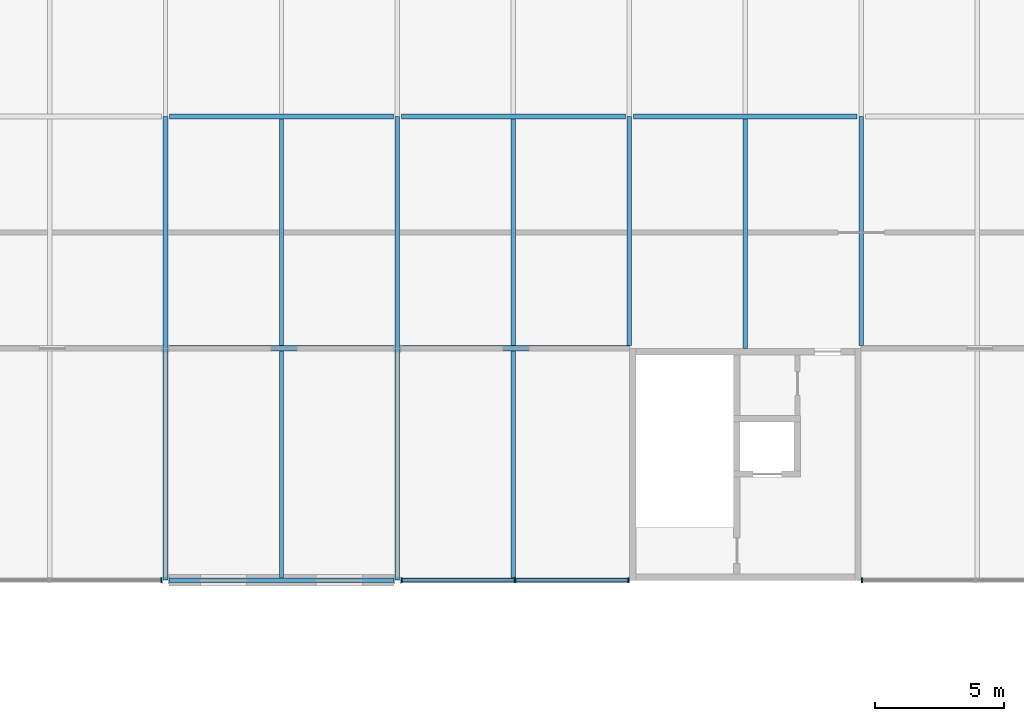
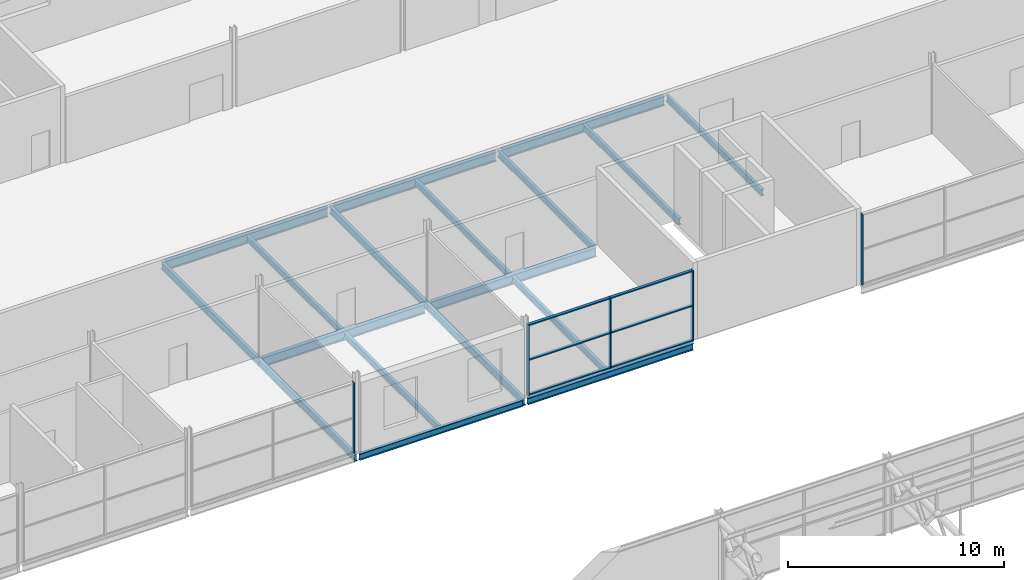
# One storey, part 42 of 138: 18 beams, 11 members, 3 elements without a shape of their own.
"""IFC4 building model written with IfcOpenShell, lengths in metres."""

import ifcopenshell
import ifcopenshell.guid

model = None  # the IFC model being written
_history = None  # IfcOwnerHistory: only IFC2X3 demands one
_inside = {}  # id of a spatial element -> (the spatial element, [elements in it])
_under = {}  # id of a project, library or spatial element -> (it, [spatial elements below it])
_declared = {}  # id of a project -> (the project, [libraries it declares])
_typed = {}  # id of a type object -> (the type object, [elements of that type])
_made_of = {}  # id of a material, layer set ... -> (it, [elements and type objects made of it])


def new_model(schema):
    """Start an empty IFC model of exactly this schema.

    Asked for "IFC4X3", IfcOpenShell would pick the latest addendum, in which some entities
    have other attributes; the version numbers below select the first issue.
    IFC2X3 requires an IfcOwnerHistory on every rooted entity: one is made here for all.
    """
    global model, _history
    if schema == "IFC4X3":
        model = ifcopenshell.file(schema_version=(4, 3, 0, 0))
    else:
        model = ifcopenshell.file(schema=schema)
    _inside.clear()
    _under.clear()
    _declared.clear()
    _typed.clear()
    _made_of.clear()
    _history = None
    if model.schema == "IFC2X3":
        org = make("IfcOrganization", Name="unknown")
        user = make(
            "IfcPersonAndOrganization",
            ThePerson=make("IfcPerson", FamilyName="unknown"),
            TheOrganization=org,
        )
        app = make(
            "IfcApplication",
            ApplicationDeveloper=org,
            Version="unknown",
            ApplicationFullName="unknown",
            ApplicationIdentifier="unknown",
        )
        _history = make(
            "IfcOwnerHistory",
            OwningUser=user,
            OwningApplication=app,
            ChangeAction="ADDED",
            CreationDate=0,
        )
    return model


def make(cls, **values):
    """One entity of the class cls with the attributes given. An attribute that is None is left unset."""
    return model.create_entity(
        cls, **{name: value for name, value in values.items() if value is not None}
    )


def rooted(cls, **values):
    """An entity with a GlobalId (a new one), such as an element, a storey or a relation."""
    return make(cls, GlobalId=ifcopenshell.guid.new(), OwnerHistory=_history, **values)


def si_unit(unit_type, name, prefix=None):
    """IfcSIUnit, for example si_unit("LENGTHUNIT", "METRE", prefix="MILLI")."""
    return make("IfcSIUnit", UnitType=unit_type, Prefix=prefix, Name=name)


def assignment(units):
    """IfcUnitAssignment: the units of a project."""
    return None if units is None else make("IfcUnitAssignment", Units=units)


def point(xyz):
    """IfcCartesianPoint."""
    return None if xyz is None else make("IfcCartesianPoint", Coordinates=xyz)


def direction(xyz):
    """IfcDirection."""
    return None if xyz is None else make("IfcDirection", DirectionRatios=xyz)


def frame(location, z_axis=None, x_axis=None):
    """IfcAxis2Placement3D, a coordinate frame: its origin and axes. An axis left out is left unset."""
    return make(
        "IfcAxis2Placement3D",
        Location=point(location),
        Axis=direction(z_axis),
        RefDirection=direction(x_axis),
    )


def frame_2d(location, x_axis=None):
    """IfcAxis2Placement2D, a coordinate frame in the plane: its origin and x axis."""
    return make(
        "IfcAxis2Placement2D", Location=point(location), RefDirection=direction(x_axis)
    )


def origin():
    """The frame at (0, 0, 0) with its axes left unset."""
    return frame((0.0, 0.0, 0.0))


def origin_2d():
    """The frame at (0, 0) in the plane with its x axis left unset."""
    return frame_2d((0.0, 0.0))


def place(relative_to, where):
    """IfcLocalPlacement: puts the frame where relative to a parent placement (None: the world)."""
    return make(
        "IfcLocalPlacement", PlacementRelTo=relative_to, RelativePlacement=where
    )


def context(
    kind, dimensions, precision=None, world=None, true_north=None, identifier=None
):
    """IfcGeometricRepresentationContext, for example the 3D "Model" context."""
    return make(
        "IfcGeometricRepresentationContext",
        ContextIdentifier=identifier,
        ContextType=kind,
        CoordinateSpaceDimension=dimensions,
        Precision=precision,
        WorldCoordinateSystem=world,
        TrueNorth=true_north,
    )


def subcontext(parent, identifier, kind, view, scale=None):
    """IfcGeometricRepresentationSubContext, for example "Body" below "Model"."""
    return make(
        "IfcGeometricRepresentationSubContext",
        ContextIdentifier=identifier,
        ContextType=kind,
        ParentContext=parent,
        TargetScale=scale,
        TargetView=view,
    )


def project(units=None, contexts=None):
    """IfcProject with its units and contexts."""
    return rooted(
        "IfcProject",
        Name="project",
        RepresentationContexts=contexts,
        UnitsInContext=assignment(units),
    )


def spatial(cls, under=None, at=None, **own):
    """A site, building, storey or space (cls), placed at a placement, below another one or the project."""
    s = rooted(cls, ObjectPlacement=at, **own)
    if under is not None:
        _under.setdefault(under.id(), (under, []))[1].append(s)
    return s


def profile(cls, at=None, kind="AREA", **sizes):
    """A parametric profile (cls). Its sizes go by their IFC names, for example OverallWidth=200.0."""
    return make(cls, ProfileType=kind, Position=at, **sizes)


def rectangle(**sizes):
    """IfcRectangleProfileDef."""
    return profile("IfcRectangleProfileDef", **sizes)


def i_section(**sizes):
    """IfcIShapeProfileDef."""
    return profile("IfcIShapeProfileDef", **sizes)


def extrude(swept, where, along, depth):
    """IfcExtrudedAreaSolid: the profile swept, set in the frame where, extruded along a direction by depth."""
    return make(
        "IfcExtrudedAreaSolid",
        SweptArea=swept,
        Position=where,
        ExtrudedDirection=direction(along),
        Depth=depth,
    )


def shape(context_of_items, identifier, shape_type, items):
    """IfcShapeRepresentation: the items that make up one representation, for example the "Body"."""
    return make(
        "IfcShapeRepresentation",
        ContextOfItems=context_of_items,
        RepresentationIdentifier=identifier,
        RepresentationType=shape_type,
        Items=items,
    )


def material(Name=None, Category=None):
    """IfcMaterial."""
    return make("IfcMaterial", Name=Name, Category=Category)


def layer(
    of_material, thickness, ventilated=None, Name=None, Category=None, Priority=None
):
    """IfcMaterialLayer: one layer of a wall or slab, of a material (None: an air gap)."""
    return make(
        "IfcMaterialLayer",
        Material=of_material,
        LayerThickness=thickness,
        IsVentilated=ventilated,
        Name=Name,
        Category=Category,
        Priority=Priority,
    )


def layer_set(layers, Name=None):
    """IfcMaterialLayerSet."""
    return make("IfcMaterialLayerSet", MaterialLayers=layers, LayerSetName=Name)


def material_profile(
    of_material, cross_section, Name=None, Category=None, Priority=None
):
    """IfcMaterialProfile: a cross section and its material."""
    return make(
        "IfcMaterialProfile",
        Name=Name,
        Material=of_material,
        Profile=cross_section,
        Priority=Priority,
        Category=Category,
    )


def profile_set(profiles, Name=None, composite=None):
    """IfcMaterialProfileSet."""
    return make(
        "IfcMaterialProfileSet",
        Name=Name,
        MaterialProfiles=profiles,
        CompositeProfile=composite,
    )


def made_of(thing, what):
    """Note that an element or type object is made of a material, layer set ...; save() writes the relation."""
    if what is not None:
        _made_of.setdefault(what.id(), (what, []))[1].append(thing)
    return thing


def type_object(cls, material=None, **own):
    """A type object (cls), such as IfcWallType, which elements share."""
    return made_of(rooted(cls, **own), material)


def element(
    cls,
    number,
    at=None,
    inside=None,
    cuts=None,
    type_object=None,
    material=None,
    context=None,
    identifier="Body",
    shape_type=None,
    held_by="IfcProductDefinitionShape",
    body=None,
    shapes=None,
    **own,
):
    """One element of the class cls, such as IfcWall. Its Tag is "e" and its number.

    at: its placement. inside: the storey or other place that contains it. cuts: it is an
    opening in that element (IfcRelVoidsElement). A single representation is given by context,
    identifier, shape_type and body (its items); several are given by shapes. held_by: the class
    of the entity that holds the representations. save() writes the other relations.
    """
    e = rooted(cls, Tag="e%d" % number, ObjectPlacement=at, **own)
    if body is not None:
        shapes = [shape(context, identifier, shape_type, body)]
    if shapes is not None:
        e.Representation = make(held_by, Representations=shapes)
    if inside is not None:
        _inside.setdefault(inside.id(), (inside, []))[1].append(e)
    if cuts is not None:
        rooted(
            "IfcRelVoidsElement", RelatingBuildingElement=cuts, RelatedOpeningElement=e
        )
    if type_object is not None:
        _typed.setdefault(type_object.id(), (type_object, []))[1].append(e)
    return made_of(e, material)


def aggregate(whole, parts):
    """IfcRelAggregates: a whole, such as a stair, and the parts it consists of."""
    return rooted("IfcRelAggregates", RelatingObject=whole, RelatedObjects=parts)


def save(model, path):
    """Write the relations noted so far, then the file.

    IfcRelAggregates (storeys below a building ...), IfcRelContainedInSpatialStructure (elements
    in a storey), IfcRelDefinesByType, IfcRelAssociatesMaterial and IfcRelDeclares: one each for
    every whole, place, type object, material and project.
    """
    for whole, parts in _under.values():
        aggregate(whole, parts)
    for where, things in _inside.values():
        rooted(
            "IfcRelContainedInSpatialStructure",
            RelatedElements=things,
            RelatingStructure=where,
        )
    for kind, things in _typed.values():
        rooted("IfcRelDefinesByType", RelatedObjects=things, RelatingType=kind)
    for what, things in _made_of.values():
        rooted("IfcRelAssociatesMaterial", RelatedObjects=things, RelatingMaterial=what)
    for by, libraries in _declared.values():
        rooted("IfcRelDeclares", RelatingContext=by, RelatedDefinitions=libraries)
    model.write(path)


model = new_model("IFC4")

# Units and contexts
model_context = context("Model", 3, precision=1e-05, world=origin(), true_north=direction((0.0, 1.0)))
body_context = subcontext(model_context, "Body", "Model", "MODEL_VIEW")
ifc_project = project(units=[si_unit("LENGTHUNIT", "METRE"), si_unit("AREAUNIT", "SQUARE_METRE"), si_unit("VOLUMEUNIT", "CUBIC_METRE"), si_unit("PLANEANGLEUNIT", "RADIAN"), si_unit("MASSUNIT", "GRAM", prefix="KILO")], contexts=[model_context])

# Site, building, storey
site_placement = place(None, origin())
site = spatial("IfcSite", under=ifc_project, at=site_placement, CompositionType="ELEMENT")
building_placement = place(site_placement, origin())
building = spatial("IfcBuilding", under=site, at=building_placement, Name="Corbel Yard City Hall", CompositionType="ELEMENT")
storey_placement = place(building_placement, frame((0.0, 0.0, 10.5)))
storey = spatial("IfcBuildingStorey", under=building, at=storey_placement, Name="L02", CompositionType="ELEMENT", Elevation=10.5)

# Beams
ifc_material_1 = material(Name="Steel Grade 300 (300 MPa yield)", Category="steel")
ifc_material_profile_1 = material_profile(ifc_material_1, i_section(OverallWidth=0.1708984375, OverallDepth=0.35595703125, WebThickness=0.00732421875, FlangeThickness=0.011474609375, at=origin_2d()), Name="360UB50.7")
ifc_profile_set_1 = profile_set([ifc_material_profile_1], Name="Steel Grade 300 (300 MPa yield)")
beam_type_1 = type_object("IfcBeamType", Name="Beam 360UB50.7", PredefinedType="BEAM", material=ifc_profile_set_1)
for number, where, z_axis, x_axis, name in (
    (1, (54.0, 54.1044921875, -0.327880859375), (0.0, 1.0, 0.0), (-1.0, 0.0, 0.0), "Beam 360UB50.7 SB14 L02floor"),
    (2, (63.0, 54.1044921875, -0.327880859375), (0.0, 1.0, 0.0), (-1.0, 0.0, 0.0), "Beam 360UB50.7 SB14 L02floor"),
):
    element("IfcBeam", number, at=place(storey_placement, frame(where, z_axis=z_axis, x_axis=x_axis)), inside=storey, type_object=beam_type_1, Name=name, PredefinedType="BEAM", context=body_context, shape_type="SweptSolid", body=[
        extrude(i_section(OverallWidth=0.1708984375, OverallDepth=0.35595703125, WebThickness=0.00732421875, FlangeThickness=0.011474609375, at=origin_2d()), origin(), (0.0, 0.0, 1.0), 8.8896484375),
    ])
ifc_material_profile_2 = material_profile(ifc_material_1, i_section(OverallWidth=0.177978515625, OverallDepth=0.403076171875, WebThickness=0.007568359375, FlangeThickness=0.010986328125, at=origin_2d()), Name="410UB53.7")
ifc_profile_set_2 = profile_set([ifc_material_profile_2], Name="Steel Grade 300 (300 MPa yield)")
beam_type_2 = type_object("IfcBeamType", Name="Beam 410UB53.7", PredefinedType="BEAM", material=ifc_profile_set_2)
beam_1_placement = place(storey_placement, frame((36.0, 45.00537109375, -0.3515625), z_axis=(0.0, 1.0, 0.0), x_axis=(-1.0, 0.0, 0.0)))
element("IfcBeam", 3, at=beam_1_placement, inside=storey, type_object=beam_type_2, Name="Beam 410UB53.7 SB6 L02floor", PredefinedType="BEAM", context=body_context, shape_type="SweptSolid", body=[
    extrude(i_section(OverallWidth=0.177978515625, OverallDepth=0.403076171875, WebThickness=0.007568359375, FlangeThickness=0.010986328125, at=origin_2d()), origin(), (0.0, 0.0, 1.0), 8.98876953125),
])
beam_2_placement = place(storey_placement, frame((36.0, 54.005859375, -0.3515625), z_axis=(0.0, 1.0, 0.0), x_axis=(-1.0, 0.0, 0.0)))
element("IfcBeam", 4, at=beam_2_placement, inside=storey, type_object=beam_type_2, Name="Beam 410UB53.7 SB6 L02floor", PredefinedType="BEAM", context=body_context, shape_type="SweptSolid", body=[
    extrude(i_section(OverallWidth=0.177978515625, OverallDepth=0.403076171875, WebThickness=0.007568359375, FlangeThickness=0.010986328125, at=origin_2d()), origin(), (0.0, 0.0, 1.0), 8.98828125),
])
beam_3_placement = place(storey_placement, frame((45.0, 45.00537109375, -0.3515625), z_axis=(0.0, 1.0, 0.0), x_axis=(-1.0, 0.0, 0.0)))
element("IfcBeam", 5, at=beam_3_placement, inside=storey, type_object=beam_type_2, Name="Beam 410UB53.7 SB6 L02floor", PredefinedType="BEAM", context=body_context, shape_type="SweptSolid", body=[
    extrude(i_section(OverallWidth=0.177978515625, OverallDepth=0.403076171875, WebThickness=0.007568359375, FlangeThickness=0.010986328125, at=origin_2d()), origin(), (0.0, 0.0, 1.0), 8.98876953125),
])
beam_4_placement = place(storey_placement, frame((45.0, 54.005859375, -0.3515625), z_axis=(0.0, 1.0, 0.0), x_axis=(-1.0, 0.0, 0.0)))
element("IfcBeam", 6, at=beam_4_placement, inside=storey, type_object=beam_type_2, Name="Beam 410UB53.7 SB6 L02floor", PredefinedType="BEAM", context=body_context, shape_type="SweptSolid", body=[
    extrude(i_section(OverallWidth=0.177978515625, OverallDepth=0.403076171875, WebThickness=0.007568359375, FlangeThickness=0.010986328125, at=origin_2d()), origin(), (0.0, 0.0, 1.0), 8.98828125),
])
ifc_material_profile_3 = material_profile(ifc_material_1, i_section(OverallWidth=0.172119140625, OverallDepth=0.35888671875, WebThickness=0.008056640625, FlangeThickness=0.012939453125, at=origin_2d()), Name="360UB56.7")
ifc_profile_set_3 = profile_set([ifc_material_profile_3], Name="Steel Grade 300 (300 MPa yield)")
beam_type_3 = type_object("IfcBeamType", Name="Edge beam 360UB56.7", PredefinedType="BEAM", material=ifc_profile_set_3)
beam_5_placement = place(storey_placement, frame((36.1298828125, 45.0, -0.32958984375), z_axis=(1.0, 0.0, 0.0), x_axis=(0.0, 1.0, 0.0)))
element("IfcBeam", 7, at=beam_5_placement, inside=storey, type_object=beam_type_3, Name="Edge beam 360UB56.7 EB4 L02floor", PredefinedType="BEAM", context=body_context, shape_type="SweptSolid", body=[
    extrude(i_section(OverallWidth=0.172119140625, OverallDepth=0.35888671875, WebThickness=0.008056640625, FlangeThickness=0.012939453125, at=origin_2d()), origin(), (0.0, 0.0, 1.0), 8.740234375),
])
beam_6_placement = place(storey_placement, frame((45.1298828125, 45.0, -0.32958984375), z_axis=(1.0, 0.0, 0.0), x_axis=(0.0, 1.0, 0.0)))
element("IfcBeam", 8, at=beam_6_placement, inside=storey, type_object=beam_type_3, Name="Edge beam 360UB56.7 EB4 L02floor", PredefinedType="BEAM", context=body_context, shape_type="SweptSolid", body=[
    extrude(i_section(OverallWidth=0.172119140625, OverallDepth=0.35888671875, WebThickness=0.008056640625, FlangeThickness=0.012939453125, at=origin_2d()), origin(), (0.0, 0.0, 1.0), 8.8701171875),
])
ifc_material_profile_4 = material_profile(ifc_material_1, i_section(OverallWidth=0.208984375, OverallDepth=0.528076171875, WebThickness=0.009521484375, FlangeThickness=0.01318359375, at=origin_2d()), Name="530UB82.0")
ifc_profile_set_4 = profile_set([ifc_material_profile_4], Name="Steel Grade 300 (300 MPa yield)")
beam_type_4 = type_object("IfcBeamType", Name="Girder 530UB82.0", PredefinedType="BEAM", material=ifc_profile_set_4)
beam_7_placement = place(storey_placement, frame((36.157470703125, 54.0, -0.4140625), z_axis=(1.0, 0.0, 0.0), x_axis=(0.0, 1.0, 0.0)))
element("IfcBeam", 9, at=beam_7_placement, inside=storey, type_object=beam_type_4, Name="Girder 530UB82.0 GB3 L02floor", PredefinedType="BEAM", context=body_context, shape_type="SweptSolid", body=[
    extrude(i_section(OverallWidth=0.208984375, OverallDepth=0.528076171875, WebThickness=0.009521484375, FlangeThickness=0.01318359375, at=origin_2d()), origin(), (0.0, 0.0, 1.0), 8.68505859375),
])
beam_8_placement = place(storey_placement, frame((45.157470703125, 54.0, -0.4140625), z_axis=(1.0, 0.0, 0.0), x_axis=(0.0, 1.0, 0.0)))
element("IfcBeam", 10, at=beam_8_placement, inside=storey, type_object=beam_type_4, Name="Girder 530UB82.0 GB3 L02floor", PredefinedType="BEAM", context=body_context, shape_type="SweptSolid", body=[
    extrude(i_section(OverallWidth=0.208984375, OverallDepth=0.528076171875, WebThickness=0.009521484375, FlangeThickness=0.01318359375, at=origin_2d()), origin(), (0.0, 0.0, 1.0), 8.842529296875),
])
for number, where, z_axis, x_axis, name in (
    (11, (36.157470703125, 63.0, -0.4140625), (1.0, 0.0, 0.0), (0.0, 1.0, 0.0), "Girder 530UB82.0 GB3 L02floor"),
    (12, (45.157470703125, 63.0, -0.4140625), (1.0, 0.0, 0.0), (0.0, 1.0, 0.0), "Girder 530UB82.0 GB3 L02floor"),
    (13, (54.157470703125, 63.0, -0.4140625), (1.0, 0.0, 0.0), (0.0, 1.0, 0.0), "Girder 530UB82.0 GB3 L02floor"),
):
    element("IfcBeam", number, at=place(storey_placement, frame(where, z_axis=z_axis, x_axis=x_axis)), inside=storey, type_object=beam_type_4, Name=name, PredefinedType="BEAM", context=body_context, shape_type="SweptSolid", body=[
        extrude(i_section(OverallWidth=0.208984375, OverallDepth=0.528076171875, WebThickness=0.009521484375, FlangeThickness=0.01318359375, at=origin_2d()), origin(), (0.0, 0.0, 1.0), 8.68505859375),
    ])

# Curtain wall, member
ifc_material_2 = material(Name="Aluminium extrusion", Category="aluminium")
ifc_layer = layer(ifc_material_2, 0.199951171875)
ifc_layer_set = layer_set([ifc_layer], Name="Aluminium extrusion")
curtain_wall_type = type_object("IfcCurtainWallType", Name="CW1", PredefinedType="USERDEFINED", material=ifc_layer_set)
curtain_wall_1_placement = place(storey_placement, origin())
curtain_wall_1 = element("IfcCurtainWall", 14, at=curtain_wall_1_placement, inside=storey, type_object=curtain_wall_type, Name="Curtain wall CW1 L02", ObjectType="CURTAIN WALL", PredefinedType="USERDEFINED")
ifc_material_profile_5 = material_profile(ifc_material_2, rectangle(XDim=0.199951171875, YDim=0.06494140625, at=origin_2d()), Name="200x65")
ifc_profile_set_5 = profile_set([ifc_material_profile_5], Name="Aluminium extrusion")
member_type_1 = type_object("IfcMemberType", Name="ML1", PredefinedType="MULLION", material=ifc_profile_set_5)
member_1_placement = place(storey_placement, frame((35.840576171875, 45.0, 0.0), z_axis=(0.0, 0.0, 1.0), x_axis=(0.0, 1.0, 0.0)))
member_1 = element("IfcMember", 15, at=member_1_placement, type_object=member_type_1, Name="CW1 mullion 3", PredefinedType="MULLION", context=body_context, shape_type="SweptSolid", body=[
    extrude(rectangle(XDim=0.199951171875, YDim=0.06494140625, at=origin_2d()), origin(), (0.0, 0.0, 1.0), 3.990966796875),
])
aggregate(curtain_wall_1, [member_1])

# Curtain wall, members
curtain_wall_2_placement = place(storey_placement, origin())
curtain_wall_2 = element("IfcCurtainWall", 16, at=curtain_wall_2_placement, inside=storey, type_object=curtain_wall_type, Name="Curtain wall CW1 L02", ObjectType="CURTAIN WALL", PredefinedType="USERDEFINED")
member_2_placement = place(storey_placement, frame((45.159423828125, 45.0, 0.0), z_axis=(0.0, 0.0, 1.0), x_axis=(0.0, 1.0, 0.0)))
member_2 = element("IfcMember", 17, at=member_2_placement, type_object=member_type_1, Name="CW1 mullion 1", PredefinedType="MULLION", context=body_context, shape_type="SweptSolid", body=[
    extrude(rectangle(XDim=0.199951171875, YDim=0.06494140625, at=origin_2d()), origin(), (0.0, 0.0, 1.0), 3.990966796875),
])
member_3_placement = place(storey_placement, frame((49.5634765625, 45.0, 0.0), z_axis=(0.0, 0.0, 1.0), x_axis=(0.0, 1.0, 0.0)))
member_3 = element("IfcMember", 18, at=member_3_placement, type_object=member_type_1, Name="CW1 mullion 2", PredefinedType="MULLION", context=body_context, shape_type="SweptSolid", body=[
    extrude(rectangle(XDim=0.199951171875, YDim=0.06494140625, at=origin_2d()), origin(), (0.0, 0.0, 1.0), 3.990966796875),
])
member_4_placement = place(storey_placement, frame((53.967529296875, 45.0, 0.0), z_axis=(0.0, 0.0, 1.0), x_axis=(0.0, 1.0, 0.0)))
member_4 = element("IfcMember", 19, at=member_4_placement, type_object=member_type_1, Name="CW1 mullion 3", PredefinedType="MULLION", context=body_context, shape_type="SweptSolid", body=[
    extrude(rectangle(XDim=0.199951171875, YDim=0.06494140625, at=origin_2d()), origin(), (0.0, 0.0, 1.0), 3.990966796875),
])

# Curtain wall, member
curtain_wall_3_placement = place(storey_placement, origin())
curtain_wall_3 = element("IfcCurtainWall", 20, at=curtain_wall_3_placement, inside=storey, type_object=curtain_wall_type, Name="Curtain wall CW1 L02", ObjectType="CURTAIN WALL", PredefinedType="USERDEFINED")
member_5_placement = place(storey_placement, frame((63.032470703125, 45.0, 0.0), z_axis=(0.0, 0.0, 1.0), x_axis=(0.0, 1.0, 0.0)))
member_5 = element("IfcMember", 21, at=member_5_placement, type_object=member_type_1, Name="CW1 mullion 1", PredefinedType="MULLION", context=body_context, shape_type="SweptSolid", body=[
    extrude(rectangle(XDim=0.199951171875, YDim=0.06494140625, at=origin_2d()), origin(), (0.0, 0.0, 1.0), 3.990966796875),
])
aggregate(curtain_wall_3, [member_5])

# Beams
ifc_material_profile_6 = material_profile(ifc_material_1, i_section(OverallWidth=0.1708984375, OverallDepth=0.35205078125, WebThickness=0.0068359375, FlangeThickness=0.009765625, at=origin_2d()), Name="360UB44.7")
ifc_profile_set_6 = profile_set([ifc_material_profile_6], Name="Steel Grade 300 (300 MPa yield)")
beam_type_5 = type_object("IfcBeamType", Name="Secondary beam 360UB44.7", PredefinedType="JOIST", material=ifc_profile_set_6)
for number, where, z_axis, x_axis, name in (
    (22, (40.5, 54.1044921875, -0.325927734375), (0.0, 1.0, 0.0), (-1.0, 0.0, 0.0), "Secondary beam 360UB44.7 SB11 L02floor"),
    (23, (49.5, 54.1044921875, -0.325927734375), (0.0, 1.0, 0.0), (-1.0, 0.0, 0.0), "Secondary beam 360UB44.7 SB11 L02floor"),
):
    element("IfcBeam", number, at=place(storey_placement, frame(where, z_axis=z_axis, x_axis=x_axis)), inside=storey, type_object=beam_type_5, Name=name, PredefinedType="JOIST", context=body_context, shape_type="SweptSolid", body=[
        extrude(i_section(OverallWidth=0.1708984375, OverallDepth=0.35205078125, WebThickness=0.0068359375, FlangeThickness=0.009765625, at=origin_2d()), origin(), (0.0, 0.0, 1.0), 8.791015625),
    ])
ifc_material_profile_7 = material_profile(ifc_material_1, i_section(OverallWidth=0.1708984375, OverallDepth=0.35595703125, WebThickness=0.00732421875, FlangeThickness=0.011474609375, at=origin_2d()), Name="360UB50.7")
ifc_profile_set_7 = profile_set([ifc_material_profile_7], Name="Steel Grade 300 (300 MPa yield)")
beam_type_6 = type_object("IfcBeamType", Name="Secondary beam 360UB50.7", PredefinedType="JOIST", material=ifc_profile_set_7)
for number, where, z_axis, x_axis, name in (
    (24, (40.5, 45.0859375, -0.327880859375), (0.0, 1.0, 0.0), (-1.0, 0.0, 0.0), "Secondary beam 360UB50.7 SB10 L02floor"),
    (25, (49.5, 45.0859375, -0.327880859375), (0.0, 1.0, 0.0), (-1.0, 0.0, 0.0), "Secondary beam 360UB50.7 SB10 L02floor"),
):
    element("IfcBeam", number, at=place(storey_placement, frame(where, z_axis=z_axis, x_axis=x_axis)), inside=storey, type_object=beam_type_6, Name=name, PredefinedType="JOIST", context=body_context, shape_type="SweptSolid", body=[
        extrude(i_section(OverallWidth=0.1708984375, OverallDepth=0.35595703125, WebThickness=0.00732421875, FlangeThickness=0.011474609375, at=origin_2d()), origin(), (0.0, 0.0, 1.0), 8.8095703125),
    ])
beam_9_placement = place(storey_placement, frame((58.5, 54.0, -0.327880859375), z_axis=(0.0, 1.0, 0.0), x_axis=(-1.0, 0.0, 0.0)))
element("IfcBeam", 26, at=beam_9_placement, inside=storey, type_object=beam_type_6, Name="Secondary beam 360UB50.7 SB10 L02floor", PredefinedType="JOIST", context=body_context, shape_type="SweptSolid", body=[
    extrude(i_section(OverallWidth=0.1708984375, OverallDepth=0.35595703125, WebThickness=0.00732421875, FlangeThickness=0.011474609375, at=origin_2d()), origin(), (0.0, 0.0, 1.0), 8.8955078125),
])

# Member
ifc_material_profile_8 = material_profile(ifc_material_2, rectangle(XDim=0.14990234375, YDim=0.06494140625, at=origin_2d()), Name="150x65")
ifc_profile_set_8 = profile_set([ifc_material_profile_8], Name="Aluminium extrusion")
member_type_2 = type_object("IfcMemberType", Name="TR1", PredefinedType="USERDEFINED", material=ifc_profile_set_8)
member_6_placement = place(storey_placement, frame((45.19189453125, 45.0, 0.032470703125), z_axis=(1.0, 0.0, 0.0), x_axis=(0.0, 1.0, 0.0)))
member_6 = element("IfcMember", 27, at=member_6_placement, type_object=member_type_2, Name="CW1 transom 1.1", ObjectType="TRANSOM", PredefinedType="USERDEFINED", context=body_context, shape_type="SweptSolid", body=[
    extrude(rectangle(XDim=0.14990234375, YDim=0.06494140625, at=origin_2d()), origin(), (0.0, 0.0, 1.0), 4.339111328125),
])

member_7_placement = place(storey_placement, frame((45.19189453125, 45.0, 1.99560546875), z_axis=(1.0, 0.0, 0.0), x_axis=(0.0, 1.0, 0.0)))
member_7 = element("IfcMember", 28, at=member_7_placement, type_object=member_type_2, Name="CW1 transom 1.2", ObjectType="TRANSOM", PredefinedType="USERDEFINED", context=body_context, shape_type="SweptSolid", body=[
    extrude(rectangle(XDim=0.14990234375, YDim=0.06494140625, at=origin_2d()), origin(), (0.0, 0.0, 1.0), 4.339111328125),
])

member_8_placement = place(storey_placement, frame((45.19189453125, 45.0, 3.95849609375), z_axis=(1.0, 0.0, 0.0), x_axis=(0.0, 1.0, 0.0)))
member_8 = element("IfcMember", 29, at=member_8_placement, type_object=member_type_2, Name="CW1 transom 1.3", ObjectType="TRANSOM", PredefinedType="USERDEFINED", context=body_context, shape_type="SweptSolid", body=[
    extrude(rectangle(XDim=0.14990234375, YDim=0.06494140625, at=origin_2d()), origin(), (0.0, 0.0, 1.0), 4.339111328125),
])

member_9_placement = place(storey_placement, frame((49.595947265625, 45.0, 0.032470703125), z_axis=(1.0, 0.0, 0.0), x_axis=(0.0, 1.0, 0.0)))
member_9 = element("IfcMember", 30, at=member_9_placement, type_object=member_type_2, Name="CW1 transom 2.1", ObjectType="TRANSOM", PredefinedType="USERDEFINED", context=body_context, shape_type="SweptSolid", body=[
    extrude(rectangle(XDim=0.14990234375, YDim=0.06494140625, at=origin_2d()), origin(), (0.0, 0.0, 1.0), 4.339111328125),
])

member_10_placement = place(storey_placement, frame((49.595947265625, 45.0, 1.99560546875), z_axis=(1.0, 0.0, 0.0), x_axis=(0.0, 1.0, 0.0)))
member_10 = element("IfcMember", 31, at=member_10_placement, type_object=member_type_2, Name="CW1 transom 2.2", ObjectType="TRANSOM", PredefinedType="USERDEFINED", context=body_context, shape_type="SweptSolid", body=[
    extrude(rectangle(XDim=0.14990234375, YDim=0.06494140625, at=origin_2d()), origin(), (0.0, 0.0, 1.0), 4.339111328125),
])

member_11_placement = place(storey_placement, frame((49.595947265625, 45.0, 3.95849609375), z_axis=(1.0, 0.0, 0.0), x_axis=(0.0, 1.0, 0.0)))
member_11 = element("IfcMember", 32, at=member_11_placement, type_object=member_type_2, Name="CW1 transom 2.3", ObjectType="TRANSOM", PredefinedType="USERDEFINED", context=body_context, shape_type="SweptSolid", body=[
    extrude(rectangle(XDim=0.14990234375, YDim=0.06494140625, at=origin_2d()), origin(), (0.0, 0.0, 1.0), 4.339111328125),
])

aggregate(curtain_wall_2, [member_2, member_3, member_4, member_6, member_7, member_8, member_9, member_10, member_11])

save(model, "model.ifc")
